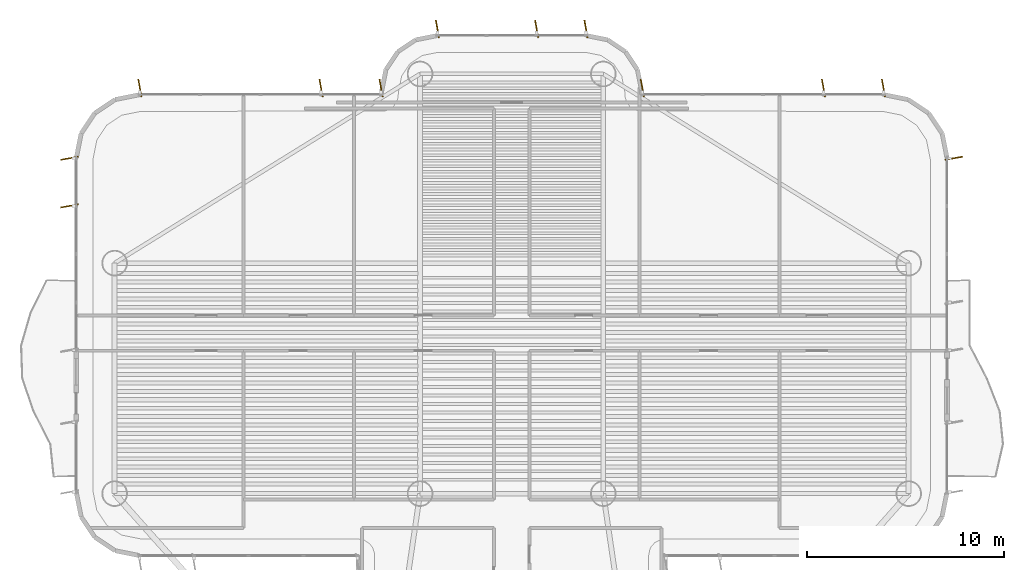
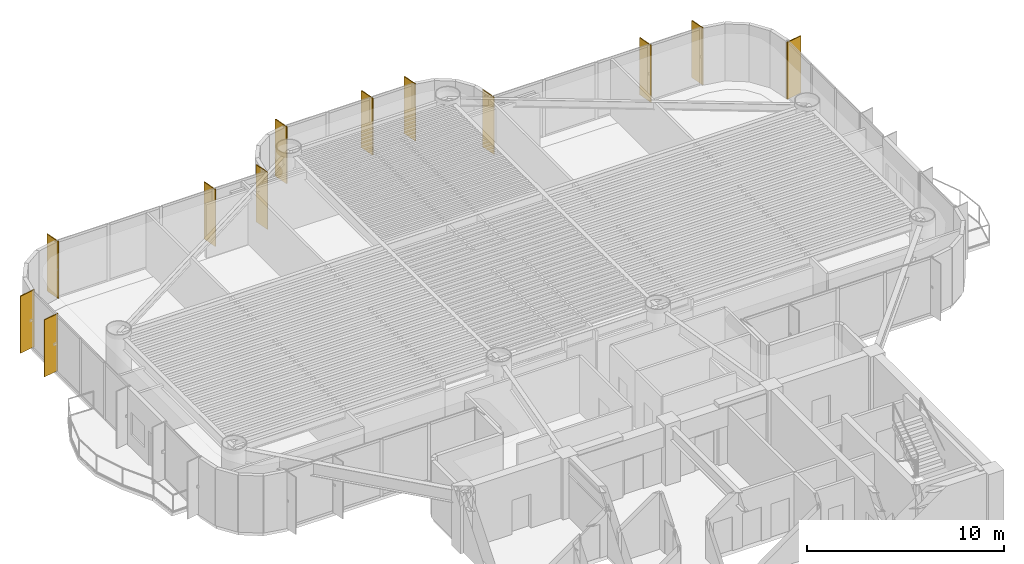
# One storey, part 16 of 16: 12 shading devices.
"""IFC4 building model written with IfcOpenShell, lengths in metres."""

from ifc_helpers import new_model, si_unit, direction, frame, origin, origin_2d, place, context, subcontext, project, spatial, rectangle, extrude, source, transform, mapped, material, material_profile, profile_set, type_object, element, save


model = new_model("IFC4")

# Units and contexts
model_context = context("Model", 3, precision=1e-05, world=origin(), true_north=direction((0.0, 1.0)))
body_context = subcontext(model_context, "Body", "Model", "MODEL_VIEW")
ifc_project = project(units=[si_unit("LENGTHUNIT", "METRE"), si_unit("AREAUNIT", "SQUARE_METRE"), si_unit("VOLUMEUNIT", "CUBIC_METRE"), si_unit("PLANEANGLEUNIT", "RADIAN"), si_unit("MASSUNIT", "GRAM", prefix="KILO")], contexts=[model_context])

# Site, building, storey
site_placement = place(None, origin())
site = spatial("IfcSite", under=ifc_project, at=site_placement, CompositionType="ELEMENT")
building_placement = place(site_placement, origin())
building = spatial("IfcBuilding", under=site, at=building_placement, Name="Brelvock Crest Care Tower", CompositionType="ELEMENT")
storey_placement = place(building_placement, frame((0.0, 0.0, 120.06005859375)))
storey = spatial("IfcBuildingStorey", under=building, at=storey_placement, Name="L30", CompositionType="ELEMENT", Elevation=120.06005859375)

# Shading devices
ifc_material = material(Name="Aluminium 6063-T6", Category="aluminium")
ifc_material_profile = material_profile(ifc_material, rectangle(XDim=0.054931640625, YDim=0.89990234375, at=origin_2d()), Name="FIN55x900")
ifc_profile_set = profile_set([ifc_material_profile], Name="Aluminium 6063-T6")
shading_device_type = type_object("IfcShadingDeviceType", Name="SHD-FIN1", PredefinedType="USERDEFINED", material=ifc_profile_set)
shared_shape = source(origin(), body_context, "Body", "SweptSolid", [
    extrude(rectangle(XDim=0.054931640625, YDim=0.89990234375, at=origin_2d()), origin(), (0.0, 0.0, 1.0), 3.530029296875),
])
for number, where, z_axis, x_axis, name in (
    (1, (13.56005859375, 41.75, 0.0), (0.0, 0.0, 1.0), (-0.173648177667, 0.984807753012, 0.0), "L30 Vertical Sunshade Fin E17B-04"),
    (2, (13.56005859375, 44.169921875, 0.0), (0.0, 0.0, 1.0), (-0.173648177667, 0.984807753012, 0.0), "L30 Vertical Sunshade Fin E17B-05"),
    (3, (17.1298828125, 47.739990234375, 0.0), (0.0, 0.0, 1.0), (0.984807753012, 0.173648177667, 0.0), "L30 Vertical Sunshade Fin E22-01"),
    (4, (26.324951171875, 47.739990234375, 0.0), (0.0, 0.0, 1.0), (0.984807753012, 0.173648177667, 0.0), "L30 Vertical Sunshade Fin E22-04"),
    (5, (29.3701171875, 47.739990234375, 0.0), (0.0, 0.0, 1.0), (0.984807753012, 0.173648177667, 0.0), "L30 Vertical Sunshade Fin E22-05"),
    (6, (32.22998046875, 50.739990234375, 0.0), (0.0, 0.0, 1.0), (0.984807753012, 0.173648177667, 0.0), "L30 Vertical Sunshade Fin E28-01"),
    (7, (37.2666015625, 50.739990234375, 0.0), (0.0, 0.0, 1.0), (0.984807753012, 0.173648177667, 0.0), "L30 Vertical Sunshade Fin E28-03"),
    (8, (39.77001953125, 50.739990234375, 0.0), (0.0, 0.0, 1.0), (0.984807753012, 0.173648177667, 0.0), "L30 Vertical Sunshade Fin E28-04"),
    (9, (42.6298828125, 47.739990234375, 0.0), (0.0, 0.0, 1.0), (0.984807753012, 0.173648177667, 0.0), "L30 Vertical Sunshade Fin E34-01"),
    (10, (51.824951171875, 47.739990234375, 0.0), (0.0, 0.0, 1.0), (0.984807753012, 0.173648177667, 0.0), "L30 Vertical Sunshade Fin E34-04"),
    (11, (54.8701171875, 47.739990234375, 0.0), (0.0, 0.0, 1.0), (0.984807753012, 0.173648177667, 0.0), "L30 Vertical Sunshade Fin E34-05"),
    (12, (58.43994140625, 44.169921875, 0.0), (0.0, 0.0, 1.0), (0.173648177667, -0.984807753012, 0.0), "L30 Vertical Sunshade Fin E39A-01"),
):
    element("IfcShadingDevice", number, at=place(storey_placement, frame(where, z_axis=z_axis, x_axis=x_axis)), inside=storey, type_object=shading_device_type, Name=name, ObjectType="FIN", PredefinedType="USERDEFINED", context=body_context, shape_type="MappedRepresentation", body=[
        mapped(shared_shape, transform((0.0, 0.0, 0.0), x_axis=(1.0, 0.0, 0.0), y_axis=(0.0, 1.0, 0.0), z_axis=(0.0, 0.0, 1.0), scale=1.0)),
    ])

save(model, "model.ifc")
